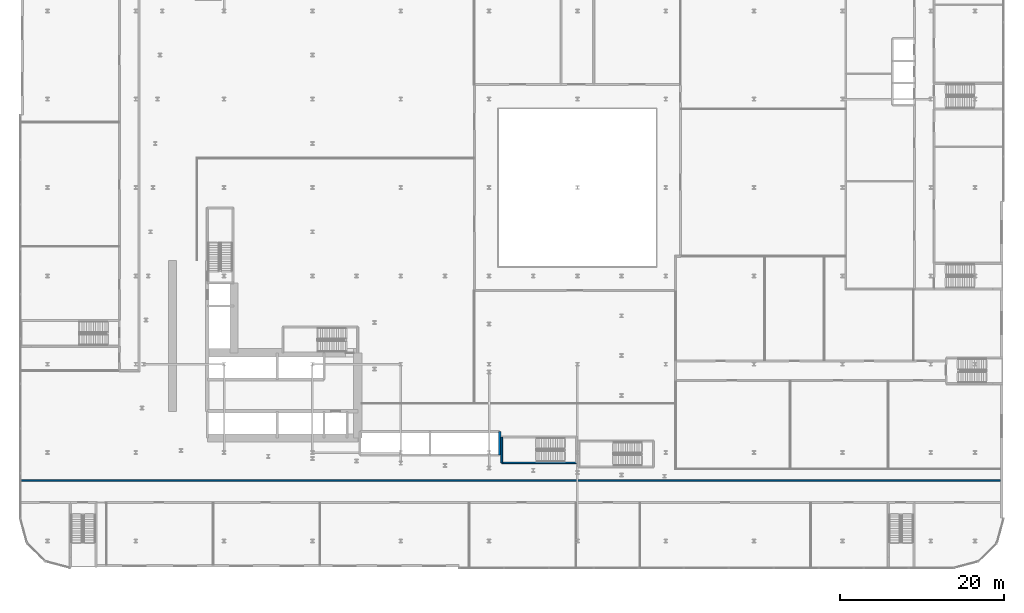
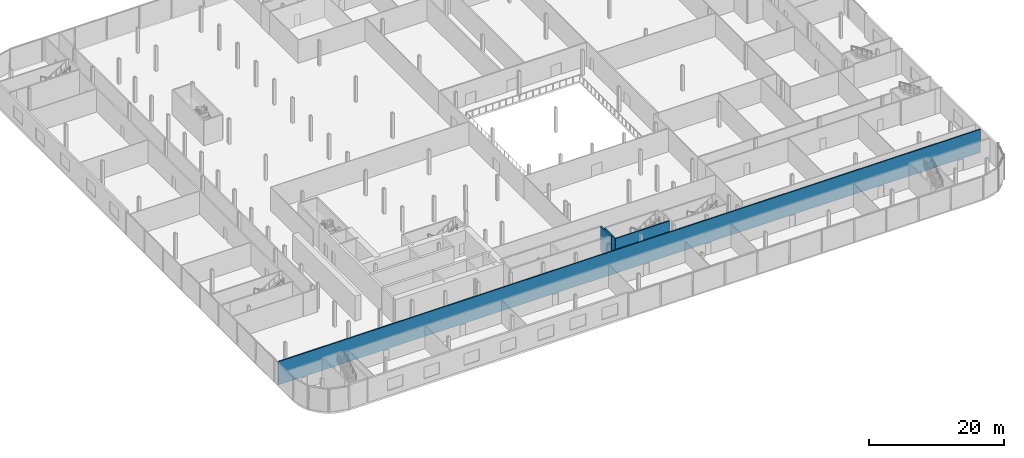
# One storey, part 28 of 47: 4 walls.
"""IFC4 building model written with IfcOpenShell, lengths in metres."""

from ifc_helpers import new_model, si_unit, direction, frame, frame_2d, origin, place, context, subcontext, project, spatial, rectangle, extrude, material, layer, layer_set, type_object, element, save


model = new_model("IFC4")

# Units and contexts
model_context = context("Model", 3, precision=1e-05, world=origin(), true_north=direction((0.0, 1.0)))
body_context = subcontext(model_context, "Body", "Model", "MODEL_VIEW")
ifc_project = project(units=[si_unit("LENGTHUNIT", "METRE"), si_unit("AREAUNIT", "SQUARE_METRE"), si_unit("VOLUMEUNIT", "CUBIC_METRE"), si_unit("PLANEANGLEUNIT", "RADIAN"), si_unit("MASSUNIT", "GRAM", prefix="KILO")], contexts=[model_context])

# Site, building, storey
site_placement = place(None, origin())
site = spatial("IfcSite", under=ifc_project, at=site_placement, CompositionType="ELEMENT")
building_placement = place(site_placement, origin())
building = spatial("IfcBuilding", under=site, at=building_placement, Name="Kheshtan School and Residences Tower", CompositionType="ELEMENT")
storey_placement = place(building_placement, frame((0.0, 0.0, 21.5)))
storey = spatial("IfcBuildingStorey", under=building, at=storey_placement, Name="L04", CompositionType="ELEMENT", Elevation=21.5)

# Walls
ifc_material_1 = material(Name="Gypsum board on steel studs with fire boards", Category="steel")
ifc_layer_1 = layer(ifc_material_1, 0.199951171875)
ifc_layer_set_1 = layer_set([ifc_layer_1], Name="Corridor wall 200")
wall_type_1 = type_object("IfcWallType", Name="Corridor wall 200", PredefinedType="PARTITIONING", material=ifc_layer_set_1)
wall_1_placement = place(storey_placement, frame((12.0, 20.60009765625, 0.0), z_axis=(0.0, 0.0, 1.0), x_axis=(1.0, 0.0, 0.0)))
element("IfcWall", 1, at=wall_1_placement, inside=storey, type_object=wall_type_1, Name="Partition L04-002", PredefinedType="PARTITIONING", context=body_context, shape_type="SweptSolid", body=[
    extrude(rectangle(XDim=119.700927734375, YDim=0.199951171875, at=frame_2d((59.8505859375, 0.0))), origin(), (0.0, 0.0, 1.0), 4.179931640625),
])
ifc_material_2 = material(Name="Fire-board shaft wall system")
ifc_layer_2 = layer(ifc_material_2, 0.25)
ifc_layer_set_2 = layer_set([ifc_layer_2], Name="Shaft lining wall 250")
wall_type_2 = type_object("IfcWallType", Name="Shaft lining wall 250", PredefinedType="PARTITIONING", material=ifc_layer_set_2)
wall_2_placement = place(storey_placement, frame((70.5, 23.699951171875, 0.0), z_axis=(0.0, 0.0, 1.0), x_axis=(0.0, 1.0, 0.0)))
element("IfcWall", 2, at=wall_2_placement, inside=storey, type_object=wall_type_2, Name="Shaft lining wall", PredefinedType="PARTITIONING", context=body_context, shape_type="SweptSolid", body=[
    extrude(rectangle(XDim=2.85009765625, YDim=0.25, at=frame_2d((1.425048828125, 0.0))), origin(), (0.0, 0.0, 1.0), 4.5),
])
ifc_material_3 = material(Name="Concrete C40/50", Category="concrete")
ifc_layer_3 = layer(ifc_material_3, 0.199951171875)
ifc_layer_set_3 = layer_set([ifc_layer_3], Name="Stair enclosure wall 200 Concrete C40/50")
wall_type_3 = type_object("IfcWallType", Name="Stair enclosure wall 200 Concrete C40/50", PredefinedType="SHEAR", material=ifc_layer_set_3)
wall_3_placement = place(storey_placement, frame((70.75, 22.75, 0.0), z_axis=(0.0, 0.0, 1.0), x_axis=(1.0, 0.0, 0.0)))
element("IfcWall", 3, at=wall_3_placement, inside=storey, type_object=wall_type_3, Name="Stair enclosure wall ST5", PredefinedType="SHEAR", context=body_context, shape_type="SweptSolid", body=[
    extrude(rectangle(XDim=9.159912109375, YDim=0.199951171875, at=frame_2d((4.580078125, 0.0))), origin(), (0.0, 0.0, 1.0), 4.5),
])
wall_4_placement = place(storey_placement, frame((70.75, 22.75, 0.0), z_axis=(0.0, 0.0, 1.0), x_axis=(0.0, 1.0, 0.0)))
element("IfcWall", 4, at=wall_4_placement, inside=storey, type_object=wall_type_3, Name="Stair enclosure wall ST5", PredefinedType="SHEAR", context=body_context, shape_type="SweptSolid", body=[
    extrude(rectangle(XDim=3.14990234375, YDim=0.199951171875, at=frame_2d((1.574951171875, 0.0))), origin(), (0.0, 0.0, 1.0), 4.5),
])

save(model, "model.ifc")
